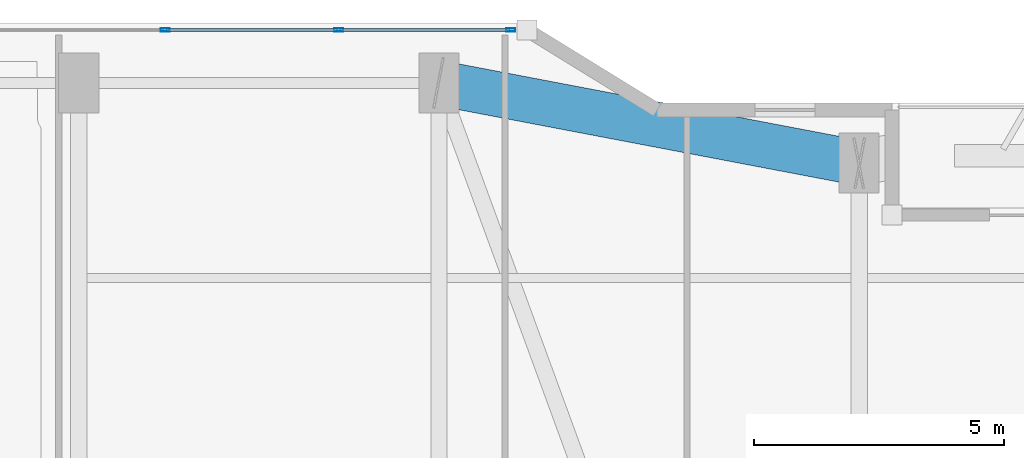
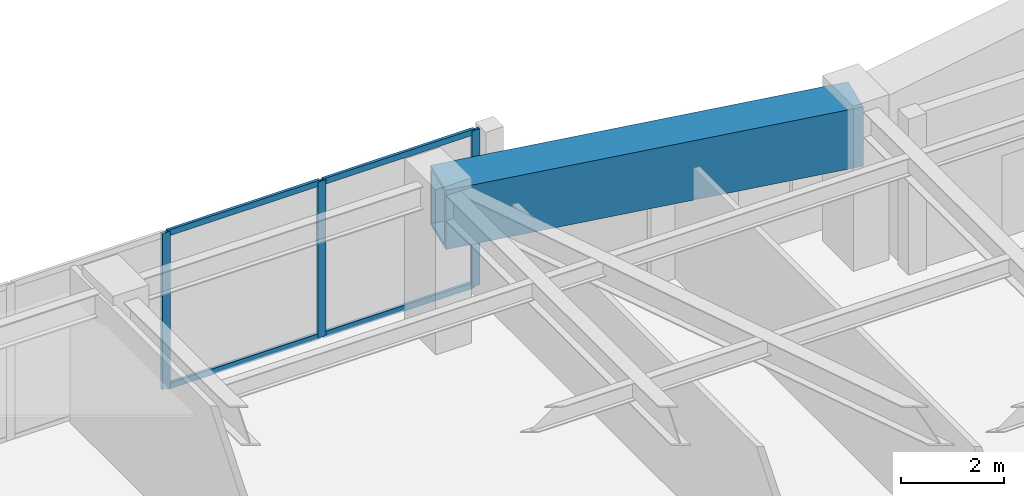
# One storey, part 19 of 30: 7 members, 1 beam, 1 element without a shape of its own.
"""IFC4 building model written with IfcOpenShell, lengths in metres."""

from ifc_helpers import new_model, si_unit, direction, frame, origin, origin_2d, place, context, subcontext, project, spatial, hollow_rectangle, extrude, material, layer, layer_set, material_profile, profile_set, type_object, element, aggregate, save


model = new_model("IFC4")

# Units and contexts
model_context = context("Model", 3, precision=1e-05, world=origin(), true_north=direction((0.0, 1.0)))
body_context = subcontext(model_context, "Body", "Model", "MODEL_VIEW")
ifc_project = project(units=[si_unit("LENGTHUNIT", "METRE"), si_unit("AREAUNIT", "SQUARE_METRE"), si_unit("VOLUMEUNIT", "CUBIC_METRE"), si_unit("PLANEANGLEUNIT", "RADIAN"), si_unit("MASSUNIT", "GRAM", prefix="KILO")], contexts=[model_context])

# Site, building, storey
site_placement = place(None, origin())
site = spatial("IfcSite", under=ifc_project, at=site_placement, CompositionType="ELEMENT")
building_placement = place(site_placement, origin())
building = spatial("IfcBuilding", under=site, at=building_placement, Name="Kiyonajd Concourse Tower", CompositionType="ELEMENT")
storey_placement = place(building_placement, frame((0.0, 0.0, 166.199951171875)))
storey = spatial("IfcBuildingStorey", under=building, at=storey_placement, Name="L42", CompositionType="ELEMENT", Elevation=166.199951171875)

# Beam
ifc_material_1 = material(Name="Steel ASTM A572 Grade 50", Category="steel")
ifc_material_profile_1 = material_profile(ifc_material_1, hollow_rectangle(XDim=0.89990234375, YDim=1.39990234375, WallThickness=0.070068359375, at=origin_2d()), Name="BOX-1400x900x70")
ifc_profile_set_1 = profile_set([ifc_material_profile_1], Name="Steel ASTM A572 Grade 50")
beam_type = type_object("IfcBeamType", Name="BM-XFER-1400", PredefinedType="BEAM", material=ifc_profile_set_1)
beam_placement = place(storey_placement, frame((48.0, 59.60009765625, 2.97998046875), z_axis=(-0.982341315253, 0.187097675953, 0.0), x_axis=(-0.187097675953, -0.982341315253, 0.0)))
element("IfcBeam", 1, at=beam_placement, inside=storey, type_object=beam_type, Name="L42 Perimeter Bundled Tube Spandrel", PredefinedType="BEAM", context=body_context, shape_type="SweptSolid", body=[
    extrude(hollow_rectangle(XDim=0.89990234375, YDim=1.39990234375, WallThickness=0.070068359375, at=origin_2d()), origin(), (0.0, 0.0, 1.0), 8.55078125),
])

# Curtain wall, members
ifc_material_2 = material(Name="Thermally Broken Anodised Aluminium", Category="aluminium")
ifc_layer = layer(ifc_material_2, 0.179931640625)
ifc_layer_set = layer_set([ifc_layer], Name="Thermally Broken Anodised Aluminium")
curtain_wall_type = type_object("IfcCurtainWallType", Name="CW-SYS-03", PredefinedType="NOTDEFINED", material=ifc_layer_set)
curtain_wall_placement = place(storey_placement, origin())
curtain_wall = element("IfcCurtainWall", 2, at=curtain_wall_placement, inside=storey, type_object=curtain_wall_type, Name="L42 Unitised Curtain Wall CW3", PredefinedType="NOTDEFINED")
ifc_material_profile_2 = material_profile(ifc_material_2, hollow_rectangle(XDim=0.06494140625, YDim=0.179931640625, WallThickness=0.00390625, at=origin_2d()), Name="MULL-65x180")
ifc_profile_set_2 = profile_set([ifc_material_profile_2], Name="Thermally Broken Anodised Aluminium")
member_type_1 = type_object("IfcMemberType", Name="MB-CW-MULL1", PredefinedType="MULLION", material=ifc_profile_set_2)
member_1_placement = place(storey_placement, frame((34.12548828125, 62.260009765625, 0.0), z_axis=(0.0, 0.0, 1.0), x_axis=(0.0, 1.0, 0.0)))
member_1 = element("IfcMember", 3, at=member_1_placement, type_object=member_type_1, Name="CW3 mullion 4", PredefinedType="MULLION", context=body_context, shape_type="SweptSolid", body=[
    extrude(hollow_rectangle(XDim=0.06494140625, YDim=0.179931640625, WallThickness=0.00390625, at=origin_2d()), origin(), (0.0, 0.0, 1.0), 3.679931640625),
])
member_2_placement = place(storey_placement, frame((37.597900390625, 62.260009765625, 0.0), z_axis=(0.0, 0.0, 1.0), x_axis=(0.0, 1.0, 0.0)))
member_2 = element("IfcMember", 4, at=member_2_placement, type_object=member_type_1, Name="CW3 mullion 5", PredefinedType="MULLION", context=body_context, shape_type="SweptSolid", body=[
    extrude(hollow_rectangle(XDim=0.06494140625, YDim=0.179931640625, WallThickness=0.00390625, at=origin_2d()), origin(), (0.0, 0.0, 1.0), 3.679931640625),
])
member_3_placement = place(storey_placement, frame((41.037841796875, 62.260009765625, 0.0), z_axis=(0.0, 0.0, 1.0), x_axis=(0.0, 1.0, 0.0)))
member_3 = element("IfcMember", 5, at=member_3_placement, type_object=member_type_1, Name="CW3 mullion 6", PredefinedType="MULLION", context=body_context, shape_type="SweptSolid", body=[
    extrude(hollow_rectangle(XDim=0.06494140625, YDim=0.179931640625, WallThickness=0.00390625, at=origin_2d()), origin(), (0.0, 0.0, 1.0), 3.679931640625),
])
ifc_material_profile_3 = material_profile(ifc_material_2, hollow_rectangle(XDim=0.06494140625, YDim=0.139892578125, WallThickness=0.00390625, at=origin_2d()), Name="TRAN-65x140")
ifc_profile_set_3 = profile_set([ifc_material_profile_3], Name="Thermally Broken Anodised Aluminium")
member_type_2 = type_object("IfcMemberType", Name="MB-CW-TRAN1", PredefinedType="USERDEFINED", material=ifc_profile_set_3)
member_4_placement = place(storey_placement, frame((34.158203125, 62.260009765625, 0.032470703125), z_axis=(1.0, 0.0, 0.0), x_axis=(0.0, 1.0, 0.0)))
member_4 = element("IfcMember", 6, at=member_4_placement, type_object=member_type_2, Name="CW3 transom 4.1", ObjectType="TRANSOM", PredefinedType="USERDEFINED", context=body_context, shape_type="SweptSolid", body=[
    extrude(hollow_rectangle(XDim=0.06494140625, YDim=0.139892578125, WallThickness=0.00390625, at=origin_2d()), origin(), (0.0, 0.0, 1.0), 3.4072265625),
])
member_5_placement = place(storey_placement, frame((34.158203125, 62.260009765625, 3.6474609375), z_axis=(1.0, 0.0, 0.0), x_axis=(0.0, 1.0, 0.0)))
member_5 = element("IfcMember", 7, at=member_5_placement, type_object=member_type_2, Name="CW3 transom 4.2", ObjectType="TRANSOM", PredefinedType="USERDEFINED", context=body_context, shape_type="SweptSolid", body=[
    extrude(hollow_rectangle(XDim=0.06494140625, YDim=0.139892578125, WallThickness=0.00390625, at=origin_2d()), origin(), (0.0, 0.0, 1.0), 3.4072265625),
])
member_6_placement = place(storey_placement, frame((37.630615234375, 62.260009765625, 0.032470703125), z_axis=(1.0, 0.0, 0.0), x_axis=(0.0, 1.0, 0.0)))
member_6 = element("IfcMember", 8, at=member_6_placement, type_object=member_type_2, Name="CW3 transom 5.1", ObjectType="TRANSOM", PredefinedType="USERDEFINED", context=body_context, shape_type="SweptSolid", body=[
    extrude(hollow_rectangle(XDim=0.06494140625, YDim=0.139892578125, WallThickness=0.00390625, at=origin_2d()), origin(), (0.0, 0.0, 1.0), 3.374755859375),
])
member_7_placement = place(storey_placement, frame((37.630615234375, 62.260009765625, 3.6474609375), z_axis=(1.0, 0.0, 0.0), x_axis=(0.0, 1.0, 0.0)))
member_7 = element("IfcMember", 9, at=member_7_placement, type_object=member_type_2, Name="CW3 transom 5.2", ObjectType="TRANSOM", PredefinedType="USERDEFINED", context=body_context, shape_type="SweptSolid", body=[
    extrude(hollow_rectangle(XDim=0.06494140625, YDim=0.139892578125, WallThickness=0.00390625, at=origin_2d()), origin(), (0.0, 0.0, 1.0), 3.374755859375),
])
aggregate(curtain_wall, [member_1, member_2, member_3, member_4, member_5, member_6, member_7])

save(model, "model.ifc")
